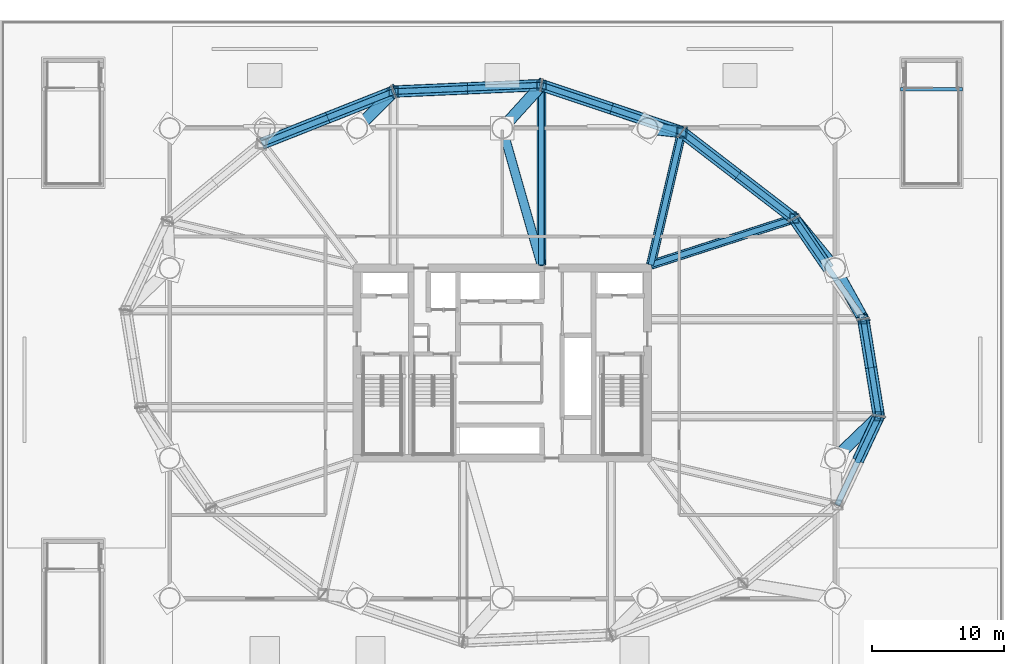
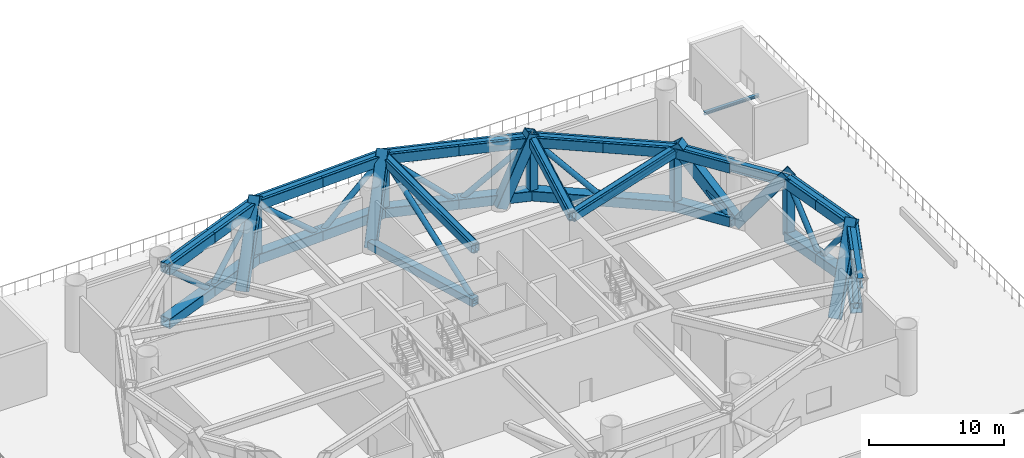
# One storey, part 3 of 14: 53 members, 11 beams.
"""IFC4 building model written with IfcOpenShell, lengths in metres."""

from ifc_helpers import new_model, si_unit, direction, frame, origin, origin_2d, place, context, subcontext, project, spatial, hollow_rectangle, hollow_circle, i_section, extrude, material, material_profile, profile_set, type_object, element, save


model = new_model("IFC4")

# Units and contexts
model_context = context("Model", 3, precision=1e-05, world=origin(), true_north=direction((0.0, 1.0)))
body_context = subcontext(model_context, "Body", "Model", "MODEL_VIEW")
ifc_project = project(units=[si_unit("LENGTHUNIT", "METRE"), si_unit("AREAUNIT", "SQUARE_METRE"), si_unit("VOLUMEUNIT", "CUBIC_METRE"), si_unit("PLANEANGLEUNIT", "RADIAN"), si_unit("MASSUNIT", "GRAM", prefix="KILO")], contexts=[model_context])

# Site, building, storey
site_placement = place(None, origin())
site = spatial("IfcSite", under=ifc_project, at=site_placement, CompositionType="ELEMENT")
building_placement = place(site_placement, origin())
building = spatial("IfcBuilding", under=site, at=building_placement, Name="Bramvorn Convention Spire", CompositionType="ELEMENT")
storey_placement = place(building_placement, frame((0.0, 0.0, 35.39990234375)))
storey = spatial("IfcBuildingStorey", under=building, at=storey_placement, Name="L06", CompositionType="ELEMENT", Elevation=35.39990234375)

# Beams
ifc_material = material(Name="Steel CSA G40.21 Grade 350 (350W)", Category="steel")
ifc_material_profile_1 = material_profile(ifc_material, i_section(OverallWidth=0.25390625, OverallDepth=0.2529296875, WebThickness=0.008544921875, FlangeThickness=0.01416015625, FilletRadius=0.011962890625, at=origin_2d()))
ifc_profile_set_1 = profile_set([ifc_material_profile_1], Name="Steel CSA G40.21 Grade 350 (350W) - W250X73")
beam_type_1 = type_object("IfcBeamType", Name="BM-W250X73", PredefinedType="BEAM", material=ifc_profile_set_1)
beam_1_placement = place(storey_placement, frame((68.169921875, 46.760009765625, -0.12646484375), z_axis=(1.0, 0.0, 0.0), x_axis=(0.0, 1.0, 0.0)))
element("IfcBeam", 1, at=beam_1_placement, inside=storey, type_object=beam_type_1, Name="L06 ST5 stair arrival header beam", PredefinedType="BEAM", context=body_context, shape_type="SweptSolid", body=[
    extrude(i_section(OverallWidth=0.25390625, OverallDepth=0.2529296875, WebThickness=0.008544921875, FlangeThickness=0.01416015625, FilletRadius=0.011962890625, at=origin_2d()), origin(), (0.0, 0.0, 1.0), 4.68017578125),
])
ifc_material_profile_2 = material_profile(ifc_material, i_section(OverallWidth=0.41796875, OverallDepth=0.912109375, WebThickness=0.019287109375, FlangeThickness=0.031982421875, FilletRadius=0.02392578125, at=origin_2d()))
ifc_profile_set_2 = profile_set([ifc_material_profile_2], Name="Steel CSA G40.21 Grade 350 (350W) - W920X342")
beam_type_2 = type_object("IfcBeamType", Name="BM-W920X342", PredefinedType="BEAM", material=ifc_profile_set_2)
beam_2_placement = place(storey_placement, frame((66.519775390625, 21.99169921875, 5.294189453125), z_axis=(-0.158699222824, 0.987326975563, 0.0), x_axis=(-0.987326975563, -0.158699222824, 0.0)))
element("IfcBeam", 2, at=beam_2_placement, inside=storey, type_object=beam_type_2, Name="L06 mega-column transfer ring girder 01", PredefinedType="BEAM", context=body_context, shape_type="SweptSolid", body=[
    extrude(i_section(OverallWidth=0.41796875, OverallDepth=0.912109375, WebThickness=0.019287109375, FlangeThickness=0.031982421875, FilletRadius=0.02392578125, at=origin_2d()), origin(), (0.0, 0.0, 1.0), 7.442626953125),
])
beam_3_placement = place(storey_placement, frame((65.338623046875, 29.340087890625, 5.294189453125), z_axis=(-0.566129730789, 0.824316157743, 0.0), x_axis=(-0.824316157743, -0.566129730789, 0.0)))
element("IfcBeam", 3, at=beam_3_placement, inside=storey, type_object=beam_type_2, Name="L06 mega-column transfer ring girder 02", PredefinedType="BEAM", context=body_context, shape_type="SweptSolid", body=[
    extrude(i_section(OverallWidth=0.41796875, OverallDepth=0.912109375, WebThickness=0.019287109375, FlangeThickness=0.031982421875, FilletRadius=0.02392578125, at=origin_2d()), origin(), (0.0, 0.0, 1.0), 9.244140625),
])
beam_4_placement = place(storey_placement, frame((60.105224609375, 36.960205078125, 5.294189453125), z_axis=(-0.792672990445, 0.609647053809, 0.0), x_axis=(-0.609647053809, -0.792672990445, 0.0)))
element("IfcBeam", 4, at=beam_4_placement, inside=storey, type_object=beam_type_2, Name="L06 mega-column transfer ring girder 03", PredefinedType="BEAM", context=body_context, shape_type="SweptSolid", body=[
    extrude(i_section(OverallWidth=0.41796875, OverallDepth=0.912109375, WebThickness=0.019287109375, FlangeThickness=0.031982421875, FilletRadius=0.02392578125, at=origin_2d()), origin(), (0.0, 0.0, 1.0), 10.741943359375),
])
beam_5_placement = place(storey_placement, frame((49.25, 33.449951171875, 5.294189453125), z_axis=(0.951488933275, 0.307682969719, 0.0), x_axis=(-0.307682969719, 0.951488933275, 0.0)))
element("IfcBeam", 5, at=beam_5_placement, inside=storey, type_object=beam_type_2, Name="L06 mega-column radial transfer girder MC03", PredefinedType="BEAM", context=body_context, shape_type="SweptSolid", body=[
    extrude(i_section(OverallWidth=0.41796875, OverallDepth=0.912109375, WebThickness=0.019287109375, FlangeThickness=0.031982421875, FilletRadius=0.02392578125, at=origin_2d()), origin(), (0.0, 0.0, 1.0), 11.40869140625),
])
beam_6_placement = place(storey_placement, frame((51.59033203125, 43.509033203125, 5.294189453125), z_axis=(-0.948235872727, 0.317566890078, 0.0), x_axis=(-0.317566890078, -0.948235872727, 0.0)))
element("IfcBeam", 6, at=beam_6_placement, inside=storey, type_object=beam_type_2, Name="L06 mega-column transfer ring girder 04", PredefinedType="BEAM", context=body_context, shape_type="SweptSolid", body=[
    extrude(i_section(OverallWidth=0.41796875, OverallDepth=0.912109375, WebThickness=0.019287109375, FlangeThickness=0.031982421875, FilletRadius=0.02392578125, at=origin_2d()), origin(), (0.0, 0.0, 1.0), 11.209716796875),
])
beam_7_placement = place(storey_placement, frame((49.25, 33.449951171875, 5.294189453125), z_axis=(0.226606328522, 0.973986433106, 0.0), x_axis=(-0.973986433106, 0.226606328522, 0.0)))
element("IfcBeam", 7, at=beam_7_placement, inside=storey, type_object=beam_type_2, Name="L06 mega-column radial transfer girder MC04", PredefinedType="BEAM", context=body_context, shape_type="SweptSolid", body=[
    extrude(i_section(OverallWidth=0.41796875, OverallDepth=0.912109375, WebThickness=0.019287109375, FlangeThickness=0.031982421875, FilletRadius=0.02392578125, at=origin_2d()), origin(), (0.0, 0.0, 1.0), 10.32763671875),
])
beam_8_placement = place(storey_placement, frame((40.9609375, 47.06884765625, 5.294189453125), z_axis=(-0.999035582762, -0.043907907889, 0.0), x_axis=(0.043907907889, -0.999035582762, 0.0)))
element("IfcBeam", 8, at=beam_8_placement, inside=storey, type_object=beam_type_2, Name="L06 mega-column transfer ring girder 05", PredefinedType="BEAM", context=body_context, shape_type="SweptSolid", body=[
    extrude(i_section(OverallWidth=0.41796875, OverallDepth=0.912109375, WebThickness=0.019287109375, FlangeThickness=0.031982421875, FilletRadius=0.02392578125, at=origin_2d()), origin(), (0.0, 0.0, 1.0), 11.20947265625),
])
beam_9_placement = place(storey_placement, frame((40.9609375, 33.449951171875, 5.294189453125), z_axis=(0.0, 1.0, 0.0), x_axis=(-1.0, 0.0, 0.0)))
element("IfcBeam", 9, at=beam_9_placement, inside=storey, type_object=beam_type_2, Name="L06 mega-column radial transfer girder MC05", PredefinedType="BEAM", context=body_context, shape_type="SweptSolid", body=[
    extrude(i_section(OverallWidth=0.41796875, OverallDepth=0.912109375, WebThickness=0.019287109375, FlangeThickness=0.031982421875, FilletRadius=0.02392578125, at=origin_2d()), origin(), (0.0, 0.0, 1.0), 13.618896484375),
])
beam_10_placement = place(storey_placement, frame((29.76220703125, 46.57666015625, 5.294189453125), z_axis=(-0.93000950609, -0.367535465749, 0.0), x_axis=(0.367535465749, -0.93000950609, 0.0)))
element("IfcBeam", 10, at=beam_10_placement, inside=storey, type_object=beam_type_2, Name="L06 mega-column transfer ring girder 06", PredefinedType="BEAM", context=body_context, shape_type="SweptSolid", body=[
    extrude(i_section(OverallWidth=0.41796875, OverallDepth=0.912109375, WebThickness=0.019287109375, FlangeThickness=0.031982421875, FilletRadius=0.02392578125, at=origin_2d()), origin(), (0.0, 0.0, 1.0), 10.74169921875),
])
beam_11_placement = place(storey_placement, frame((63.35888671875, 15.253662109375, 5.294189453125), z_axis=(0.424701955478, 0.9053332254, 0.0), x_axis=(-0.9053332254, 0.424701955478, 0.0)))
element("IfcBeam", 11, at=beam_11_placement, inside=storey, type_object=beam_type_2, Name="L06 mega-column transfer ring girder 16", PredefinedType="BEAM", context=body_context, shape_type="SweptSolid", body=[
    extrude(i_section(OverallWidth=0.41796875, OverallDepth=0.912109375, WebThickness=0.019287109375, FlangeThickness=0.031982421875, FilletRadius=0.02392578125, at=origin_2d()), origin(), (0.0, 0.0, 1.0), 7.442626953125),
])

# Members
ifc_material_profile_3 = material_profile(ifc_material, hollow_rectangle(XDim=0.699951171875, YDim=0.699951171875, WallThickness=0.034912109375, InnerFilletRadius=0.0009765625, OuterFilletRadius=0.034912109375, at=origin_2d()))
ifc_profile_set_3 = profile_set([ifc_material_profile_3], Name="Steel CSA G40.21 Grade 350 (350W) - BOX700X700X35")
member_type_1 = type_object("IfcMemberType", Name="MBR-BOX700X700X35", PredefinedType="CHORD", material=ifc_profile_set_3)
for number, where, z_axis, x_axis, name in (
    (12, (66.519775390625, 21.99169921875, 0.4501953125), (0.0, 0.0, 1.0), (1.0, 0.0, 0.0), "L06 transfer truss node post MC01"),
    (13, (65.338623046875, 29.340087890625, 0.4501953125), (0.0, 0.0, 1.0), (1.0, 0.0, 0.0), "L06 transfer truss node post MC02"),
    (14, (60.105224609375, 36.960205078125, 0.4501953125), (0.0, 0.0, 1.0), (1.0, 0.0, 0.0), "L06 transfer truss node post MC03"),
):
    element("IfcMember", number, at=place(storey_placement, frame(where, z_axis=z_axis, x_axis=x_axis)), inside=storey, type_object=member_type_1, Name=name, PredefinedType="CHORD", context=body_context, shape_type="SweptSolid", body=[
        extrude(hollow_rectangle(XDim=0.699951171875, YDim=0.699951171875, WallThickness=0.034912109375, InnerFilletRadius=0.0009765625, OuterFilletRadius=0.034912109375, at=origin_2d()), origin(), (0.0, 0.0, 1.0), 4.849853515625),
    ])
member_1_placement = place(storey_placement, frame((49.25, 33.449951171875, 5.300048828125), z_axis=(0.951488933275, 0.307682969719, 0.0), x_axis=(-0.307682969719, 0.951488933275, 0.0)))
element("IfcMember", 15, at=member_1_placement, inside=storey, type_object=member_type_1, Name="L06 radial transfer top chord MC03", PredefinedType="CHORD", context=body_context, shape_type="SweptSolid", body=[
    extrude(hollow_rectangle(XDim=0.699951171875, YDim=0.699951171875, WallThickness=0.034912109375, InnerFilletRadius=0.0009765625, OuterFilletRadius=0.034912109375, at=origin_2d()), origin(), (0.0, 0.0, 1.0), 11.40869140625),
])
member_2_placement = place(storey_placement, frame((51.59033203125, 43.509033203125, 0.4501953125), z_axis=(0.0, 0.0, 1.0), x_axis=(1.0, 0.0, 0.0)))
element("IfcMember", 16, at=member_2_placement, inside=storey, type_object=member_type_1, Name="L06 transfer truss node post MC04", PredefinedType="CHORD", context=body_context, shape_type="SweptSolid", body=[
    extrude(hollow_rectangle(XDim=0.699951171875, YDim=0.699951171875, WallThickness=0.034912109375, InnerFilletRadius=0.0009765625, OuterFilletRadius=0.034912109375, at=origin_2d()), origin(), (0.0, 0.0, 1.0), 4.849853515625),
])
member_3_placement = place(storey_placement, frame((49.25, 33.449951171875, 5.300048828125), z_axis=(0.226606328522, 0.973986433106, 0.0), x_axis=(-0.973986433106, 0.226606328522, 0.0)))
element("IfcMember", 17, at=member_3_placement, inside=storey, type_object=member_type_1, Name="L06 radial transfer top chord MC04", PredefinedType="CHORD", context=body_context, shape_type="SweptSolid", body=[
    extrude(hollow_rectangle(XDim=0.699951171875, YDim=0.699951171875, WallThickness=0.034912109375, InnerFilletRadius=0.0009765625, OuterFilletRadius=0.034912109375, at=origin_2d()), origin(), (0.0, 0.0, 1.0), 10.32763671875),
])
member_4_placement = place(storey_placement, frame((40.9609375, 47.06884765625, 0.4501953125), z_axis=(0.0, 0.0, 1.0), x_axis=(1.0, 0.0, 0.0)))
element("IfcMember", 18, at=member_4_placement, inside=storey, type_object=member_type_1, Name="L06 transfer truss node post MC05", PredefinedType="CHORD", context=body_context, shape_type="SweptSolid", body=[
    extrude(hollow_rectangle(XDim=0.699951171875, YDim=0.699951171875, WallThickness=0.034912109375, InnerFilletRadius=0.0009765625, OuterFilletRadius=0.034912109375, at=origin_2d()), origin(), (0.0, 0.0, 1.0), 4.849853515625),
])
member_5_placement = place(storey_placement, frame((40.9609375, 33.449951171875, 5.300048828125), z_axis=(0.0, 1.0, 0.0), x_axis=(-1.0, 0.0, 0.0)))
element("IfcMember", 19, at=member_5_placement, inside=storey, type_object=member_type_1, Name="L06 radial transfer top chord MC05", PredefinedType="CHORD", context=body_context, shape_type="SweptSolid", body=[
    extrude(hollow_rectangle(XDim=0.699951171875, YDim=0.699951171875, WallThickness=0.034912109375, InnerFilletRadius=0.0009765625, OuterFilletRadius=0.034912109375, at=origin_2d()), origin(), (0.0, 0.0, 1.0), 13.618896484375),
])
member_6_placement = place(storey_placement, frame((40.9609375, 33.449951171875, 0.4501953125), z_axis=(-0.275044601607, 0.961431467722, 0.0), x_axis=(-0.961431467722, -0.275044601607, 0.0)))
element("IfcMember", 20, at=member_6_placement, inside=storey, type_object=member_type_1, Name="L06 radial transfer bottom chord MC05", PredefinedType="CHORD", context=body_context, shape_type="SweptSolid", body=[
    extrude(hollow_rectangle(XDim=0.699951171875, YDim=0.699951171875, WallThickness=0.034912109375, InnerFilletRadius=0.0009765625, OuterFilletRadius=0.034912109375, at=origin_2d()), origin(), (0.0, 0.0, 1.0), 10.765380859375),
])
member_7_placement = place(storey_placement, frame((29.76220703125, 46.57666015625, 0.4501953125), z_axis=(0.0, 0.0, 1.0), x_axis=(1.0, 0.0, 0.0)))
element("IfcMember", 21, at=member_7_placement, inside=storey, type_object=member_type_1, Name="L06 transfer truss node post MC06", PredefinedType="CHORD", context=body_context, shape_type="SweptSolid", body=[
    extrude(hollow_rectangle(XDim=0.699951171875, YDim=0.699951171875, WallThickness=0.034912109375, InnerFilletRadius=0.0009765625, OuterFilletRadius=0.034912109375, at=origin_2d()), origin(), (0.0, 0.0, 1.0), 4.849853515625),
])
ifc_material_profile_4 = material_profile(ifc_material, hollow_rectangle(XDim=0.89990234375, YDim=0.89990234375, WallThickness=0.044921875, InnerFilletRadius=0.0009765625, OuterFilletRadius=0.044921875, at=origin_2d()))
ifc_profile_set_4 = profile_set([ifc_material_profile_4], Name="Steel CSA G40.21 Grade 350 (350W) - BOX900X900X45")
member_type_2 = type_object("IfcMemberType", Name="MBR-BOX900X900X45", PredefinedType="CHORD", material=ifc_profile_set_4)
for number, where, z_axis, x_axis, name in (
    (22, (66.519775390625, 21.99169921875, 5.300048828125), (-0.158694083206, 0.987327801673, 0.0), (-0.987327801673, -0.158694083206, 0.0), "L06 Warren transfer ring top chord 1.1"),
    (23, (66.519775390625, 21.99169921875, 0.4501953125), (-0.158694083206, 0.987327801673, 0.0), (-0.987327801673, -0.158694083206, 0.0), "L06 Warren transfer ring bottom chord 1.1"),
):
    element("IfcMember", number, at=place(storey_placement, frame(where, z_axis=z_axis, x_axis=x_axis)), inside=storey, type_object=member_type_2, Name=name, PredefinedType="CHORD", context=body_context, shape_type="SweptSolid", body=[
        extrude(hollow_rectangle(XDim=0.89990234375, YDim=0.89990234375, WallThickness=0.044921875, InnerFilletRadius=0.0009765625, OuterFilletRadius=0.044921875, at=origin_2d()), origin(), (0.0, 0.0, 1.0), 3.721435546875),
    ])
for number, where, z_axis, x_axis, name in (
    (24, (65.92919921875, 25.666015625, 5.300048828125), (-0.158704362771, 0.987326149374, 0.0), (-0.987326149374, -0.158704362771, 0.0), "L06 Warren transfer ring top chord 1.2"),
    (25, (65.92919921875, 25.666015625, 0.4501953125), (-0.158704362771, 0.987326149374, 0.0), (-0.987326149374, -0.158704362771, 0.0), "L06 Warren transfer ring bottom chord 1.2"),
):
    element("IfcMember", number, at=place(storey_placement, frame(where, z_axis=z_axis, x_axis=x_axis)), inside=storey, type_object=member_type_2, Name=name, PredefinedType="CHORD", context=body_context, shape_type="SweptSolid", body=[
        extrude(hollow_rectangle(XDim=0.89990234375, YDim=0.89990234375, WallThickness=0.044921875, InnerFilletRadius=0.0009765625, OuterFilletRadius=0.044921875, at=origin_2d()), origin(), (0.0, 0.0, 1.0), 3.72119140625),
    ])
member_8_placement = place(storey_placement, frame((63.199951171875, 18.800048828125, 0.0), z_axis=(0.438921867714, 0.42197570059, 0.793274291877), x_axis=(-0.693053621919, 0.72088603617, 0.0)))
element("IfcMember", 26, at=member_8_placement, inside=storey, type_object=member_type_2, Name="L06 radial transfer strut to MC01", PredefinedType="CHORD", context=body_context, shape_type="SweptSolid", body=[
    extrude(hollow_rectangle(XDim=0.89990234375, YDim=0.89990234375, WallThickness=0.044921875, InnerFilletRadius=0.0009765625, OuterFilletRadius=0.044921875, at=origin_2d()), origin(), (0.0, 0.0, 1.0), 7.5634765625),
])
for number, where, z_axis, x_axis, name in (
    (27, (62.721923828125, 33.150146484375, 5.300048828125), (-0.566129730789, 0.824316157743, 0.0), (-0.824316157743, -0.566129730789, 0.0), "L06 Warren transfer ring top chord 2.2"),
    (28, (62.721923828125, 33.150146484375, 0.4501953125), (-0.566129730789, 0.824316157743, 0.0), (-0.824316157743, -0.566129730789, 0.0), "L06 Warren transfer ring bottom chord 2.2"),
):
    element("IfcMember", number, at=place(storey_placement, frame(where, z_axis=z_axis, x_axis=x_axis)), inside=storey, type_object=member_type_2, Name=name, PredefinedType="CHORD", context=body_context, shape_type="SweptSolid", body=[
        extrude(hollow_rectangle(XDim=0.89990234375, YDim=0.89990234375, WallThickness=0.044921875, InnerFilletRadius=0.0009765625, OuterFilletRadius=0.044921875, at=origin_2d()), origin(), (0.0, 0.0, 1.0), 4.6220703125),
    ])
member_9_placement = place(storey_placement, frame((63.199951171875, 33.199951171875, 0.0), z_axis=(0.287147763316, -0.51824270982, 0.805587149687), x_axis=(0.874704760516, 0.484656148141, 0.0)))
element("IfcMember", 29, at=member_9_placement, inside=storey, type_object=member_type_2, Name="L06 radial transfer strut to MC02", PredefinedType="CHORD", context=body_context, shape_type="SweptSolid", body=[
    extrude(hollow_rectangle(XDim=0.89990234375, YDim=0.89990234375, WallThickness=0.044921875, InnerFilletRadius=0.0009765625, OuterFilletRadius=0.044921875, at=origin_2d()), origin(), (0.0, 0.0, 1.0), 7.447998046875),
])
for number, where, z_axis, x_axis, name in (
    (30, (60.105224609375, 36.960205078125, 5.300048828125), (-0.7926814374, 0.609636070784, 0.0), (-0.609636070784, -0.7926814374, 0.0), "L06 Warren transfer ring top chord 3.1"),
    (31, (60.105224609375, 36.960205078125, 0.4501953125), (-0.7926814374, 0.609636070784, 0.0), (-0.609636070784, -0.7926814374, 0.0), "L06 Warren transfer ring bottom chord 3.1"),
):
    element("IfcMember", number, at=place(storey_placement, frame(where, z_axis=z_axis, x_axis=x_axis)), inside=storey, type_object=member_type_2, Name=name, PredefinedType="CHORD", context=body_context, shape_type="SweptSolid", body=[
        extrude(hollow_rectangle(XDim=0.89990234375, YDim=0.89990234375, WallThickness=0.044921875, InnerFilletRadius=0.0009765625, OuterFilletRadius=0.044921875, at=origin_2d()), origin(), (0.0, 0.0, 1.0), 5.37109375),
    ])
for number, where, z_axis, x_axis, name in (
    (32, (55.84765625, 40.234619140625, 5.300048828125), (-0.792664543034, 0.609658037113, 0.0), (-0.609658037113, -0.792664543034, 0.0), "L06 Warren transfer ring top chord 3.2"),
    (33, (55.84765625, 40.234619140625, 0.4501953125), (-0.792664543034, 0.609658037113, 0.0), (-0.609658037113, -0.792664543034, 0.0), "L06 Warren transfer ring bottom chord 3.2"),
):
    element("IfcMember", number, at=place(storey_placement, frame(where, z_axis=z_axis, x_axis=x_axis)), inside=storey, type_object=member_type_2, Name=name, PredefinedType="CHORD", context=body_context, shape_type="SweptSolid", body=[
        extrude(hollow_rectangle(XDim=0.89990234375, YDim=0.89990234375, WallThickness=0.044921875, InnerFilletRadius=0.0009765625, OuterFilletRadius=0.044921875, at=origin_2d()), origin(), (0.0, 0.0, 1.0), 5.370849609375),
    ])
member_10_placement = place(storey_placement, frame((63.199951171875, 33.199951171875, 0.0), z_axis=(-0.400473576489, 0.486596246851, 0.776430941606), x_axis=(-0.772127003942, -0.635468244512, 0.0)))
element("IfcMember", 34, at=member_10_placement, inside=storey, type_object=member_type_2, Name="L06 radial transfer strut to MC03", PredefinedType="CHORD", context=body_context, shape_type="SweptSolid", body=[
    extrude(hollow_rectangle(XDim=0.89990234375, YDim=0.89990234375, WallThickness=0.044921875, InnerFilletRadius=0.0009765625, OuterFilletRadius=0.044921875, at=origin_2d()), origin(), (0.0, 0.0, 1.0), 7.727783203125),
])
for number, where, z_axis, x_axis, name in (
    (35, (51.59033203125, 43.509033203125, 5.300048828125), (-0.948229314146, 0.31758647294, 0.0), (-0.31758647294, -0.948229314146, 0.0), "L06 Warren transfer ring top chord 4.1"),
    (36, (51.59033203125, 43.509033203125, 0.4501953125), (-0.948229314146, 0.31758647294, 0.0), (-0.31758647294, -0.948229314146, 0.0), "L06 Warren transfer ring bottom chord 4.1"),
):
    element("IfcMember", number, at=place(storey_placement, frame(where, z_axis=z_axis, x_axis=x_axis)), inside=storey, type_object=member_type_2, Name=name, PredefinedType="CHORD", context=body_context, shape_type="SweptSolid", body=[
        extrude(hollow_rectangle(XDim=0.89990234375, YDim=0.89990234375, WallThickness=0.044921875, InnerFilletRadius=0.0009765625, OuterFilletRadius=0.044921875, at=origin_2d()), origin(), (0.0, 0.0, 1.0), 5.60498046875),
    ])
for number, where, z_axis, x_axis, name in (
    (37, (46.275634765625, 45.2890625, 5.300048828125), (-0.948242430994, 0.31754730681, 0.0), (-0.31754730681, -0.948242430994, 0.0), "L06 Warren transfer ring top chord 4.2"),
    (38, (46.275634765625, 45.2890625, 0.4501953125), (-0.948242430994, 0.31754730681, 0.0), (-0.31754730681, -0.948242430994, 0.0), "L06 Warren transfer ring bottom chord 4.2"),
):
    element("IfcMember", number, at=place(storey_placement, frame(where, z_axis=z_axis, x_axis=x_axis)), inside=storey, type_object=member_type_2, Name=name, PredefinedType="CHORD", context=body_context, shape_type="SweptSolid", body=[
        extrude(hollow_rectangle(XDim=0.89990234375, YDim=0.89990234375, WallThickness=0.044921875, InnerFilletRadius=0.0009765625, OuterFilletRadius=0.044921875, at=origin_2d()), origin(), (0.0, 0.0, 1.0), 5.604736328125),
    ])
member_11_placement = place(storey_placement, frame((49.0, 43.800048828125, 0.0), z_axis=(0.395969200111, -0.0444858894, 0.917185585478), x_axis=(0.111644474103, 0.993748213283, 0.0)))
element("IfcMember", 39, at=member_11_placement, inside=storey, type_object=member_type_2, Name="L06 radial transfer strut to MC04", PredefinedType="CHORD", context=body_context, shape_type="SweptSolid", body=[
    extrude(hollow_rectangle(XDim=0.89990234375, YDim=0.89990234375, WallThickness=0.044921875, InnerFilletRadius=0.0009765625, OuterFilletRadius=0.044921875, at=origin_2d()), origin(), (0.0, 0.0, 1.0), 6.541748046875),
])
for number, where, z_axis, x_axis, name in (
    (40, (40.9609375, 47.06884765625, 5.300048828125), (-0.999035582762, -0.043907907889, 0.0), (0.043907907889, -0.999035582762, 0.0), "L06 Warren transfer ring top chord 5.1"),
    (41, (40.9609375, 47.06884765625, 0.4501953125), (-0.999035582762, -0.043907907889, 0.0), (0.043907907889, -0.999035582762, 0.0), "L06 Warren transfer ring bottom chord 5.1"),
    (42, (35.361572265625, 46.82275390625, 5.300048828125), (-0.999035582762, -0.043907907889, 0.0), (0.043907907889, -0.999035582762, 0.0), "L06 Warren transfer ring top chord 5.2"),
    (43, (35.361572265625, 46.82275390625, 0.4501953125), (-0.999035582762, -0.043907907889, 0.0), (0.043907907889, -0.999035582762, 0.0), "L06 Warren transfer ring bottom chord 5.2"),
):
    element("IfcMember", number, at=place(storey_placement, frame(where, z_axis=z_axis, x_axis=x_axis)), inside=storey, type_object=member_type_2, Name=name, PredefinedType="CHORD", context=body_context, shape_type="SweptSolid", body=[
        extrude(hollow_rectangle(XDim=0.89990234375, YDim=0.89990234375, WallThickness=0.044921875, InnerFilletRadius=0.0009765625, OuterFilletRadius=0.044921875, at=origin_2d()), origin(), (0.0, 0.0, 1.0), 5.604736328125),
    ])
member_12_placement = place(storey_placement, frame((38.0, 43.800048828125, 0.0), z_axis=(0.397621503308, 0.438963910602, 0.805734339156), x_axis=(-0.741146168567, 0.671343695002, 0.0)))
element("IfcMember", 44, at=member_12_placement, inside=storey, type_object=member_type_2, Name="L06 radial transfer strut to MC05", PredefinedType="CHORD", context=body_context, shape_type="SweptSolid", body=[
    extrude(hollow_rectangle(XDim=0.89990234375, YDim=0.89990234375, WallThickness=0.044921875, InnerFilletRadius=0.0009765625, OuterFilletRadius=0.044921875, at=origin_2d()), origin(), (0.0, 0.0, 1.0), 7.446533203125),
])
for number, where, z_axis, x_axis, name in (
    (45, (29.76220703125, 46.57666015625, 5.300048828125), (-0.930014204705, -0.367523576179, 0.0), (0.367523576179, -0.930014204705, 0.0), "L06 Warren transfer ring top chord 6.1"),
    (46, (29.76220703125, 46.57666015625, 0.4501953125), (-0.930014204705, -0.367523576179, 0.0), (0.367523576179, -0.930014204705, 0.0), "L06 Warren transfer ring bottom chord 6.1"),
):
    element("IfcMember", number, at=place(storey_placement, frame(where, z_axis=z_axis, x_axis=x_axis)), inside=storey, type_object=member_type_2, Name=name, PredefinedType="CHORD", context=body_context, shape_type="SweptSolid", body=[
        extrude(hollow_rectangle(XDim=0.89990234375, YDim=0.89990234375, WallThickness=0.044921875, InnerFilletRadius=0.0009765625, OuterFilletRadius=0.044921875, at=origin_2d()), origin(), (0.0, 0.0, 1.0), 5.370849609375),
    ])
for number, where, z_axis, x_axis, name in (
    (47, (24.767333984375, 44.602783203125, 5.300048828125), (-0.930004807599, -0.367547354558, 0.0), (0.367547354558, -0.930004807599, 0.0), "L06 Warren transfer ring top chord 6.2"),
    (48, (24.767333984375, 44.602783203125, 0.4501953125), (-0.930004807599, -0.367547354558, 0.0), (0.367547354558, -0.930004807599, 0.0), "L06 Warren transfer ring bottom chord 6.2"),
):
    element("IfcMember", number, at=place(storey_placement, frame(where, z_axis=z_axis, x_axis=x_axis)), inside=storey, type_object=member_type_2, Name=name, PredefinedType="CHORD", context=body_context, shape_type="SweptSolid", body=[
        extrude(hollow_rectangle(XDim=0.89990234375, YDim=0.89990234375, WallThickness=0.044921875, InnerFilletRadius=0.0009765625, OuterFilletRadius=0.044921875, at=origin_2d()), origin(), (0.0, 0.0, 1.0), 5.37109375),
    ])
member_13_placement = place(storey_placement, frame((27.0, 43.800048828125, 0.0), z_axis=(0.385505882175, 0.387516209827, 0.837386650198), x_axis=(-0.708943291589, 0.705265488529, 0.0)))
element("IfcMember", 49, at=member_13_placement, inside=storey, type_object=member_type_2, Name="L06 radial transfer strut to MC06", PredefinedType="CHORD", context=body_context, shape_type="SweptSolid", body=[
    extrude(hollow_rectangle(XDim=0.89990234375, YDim=0.89990234375, WallThickness=0.044921875, InnerFilletRadius=0.0009765625, OuterFilletRadius=0.044921875, at=origin_2d()), origin(), (0.0, 0.0, 1.0), 7.1650390625),
])
for number, where, z_axis, x_axis, name in (
    (50, (64.939208984375, 18.622802734375, 5.300048828125), (0.424741454752, 0.905314694797, 0.0), (-0.905314694797, 0.424741454752, 0.0), "L06 Warren transfer ring top chord 16.2"),
    (51, (64.939208984375, 18.622802734375, 0.4501953125), (0.424741454752, 0.905314694797, 0.0), (-0.905314694797, 0.424741454752, 0.0), "L06 Warren transfer ring bottom chord 16.2"),
):
    element("IfcMember", number, at=place(storey_placement, frame(where, z_axis=z_axis, x_axis=x_axis)), inside=storey, type_object=member_type_2, Name=name, PredefinedType="CHORD", context=body_context, shape_type="SweptSolid", body=[
        extrude(hollow_rectangle(XDim=0.89990234375, YDim=0.89990234375, WallThickness=0.044921875, InnerFilletRadius=0.0009765625, OuterFilletRadius=0.044921875, at=origin_2d()), origin(), (0.0, 0.0, 1.0), 3.72119140625),
    ])
ifc_material_profile_5 = material_profile(ifc_material, hollow_circle(Radius=0.228515625, WallThickness=0.01904296875, at=origin_2d()))
ifc_profile_set_5 = profile_set([ifc_material_profile_5], Name="Steel CSA G40.21 Grade 350 (350W) - CHS457X19")
member_type_3 = type_object("IfcMemberType", Name="MBR-CHS457X19", PredefinedType="BRACE", material=ifc_profile_set_5)
for number, where, z_axis, x_axis, name in (
    (52, (66.519775390625, 21.99169921875, 5.300048828125), (-0.09660768967, 0.601052389225, -0.793349216741), (-0.987327801673, -0.158694083206, 0.0), "L06 Warren transfer diagonal 1A"),
    (53, (65.92919921875, 25.666015625, 0.4501953125), (-0.096610008672, 0.601026879083, 0.793368260548), (-0.987326149374, -0.158704362771, 0.0), "L06 Warren transfer diagonal 1B"),
):
    element("IfcMember", number, at=place(storey_placement, frame(where, z_axis=z_axis, x_axis=x_axis)), inside=storey, type_object=member_type_3, Name=name, PredefinedType="BRACE", context=body_context, shape_type="SweptSolid", body=[
        extrude(hollow_circle(Radius=0.228515625, WallThickness=0.01904296875, at=origin_2d()), origin(), (0.0, 0.0, 1.0), 6.113037109375),
    ])
member_14_placement = place(storey_placement, frame((62.721923828125, 33.150146484375, 0.4501953125), z_axis=(-0.390575003953, 0.568698778848, 0.723901143267), x_axis=(-0.824316157743, -0.566129730789, 0.0)))
element("IfcMember", 54, at=member_14_placement, inside=storey, type_object=member_type_3, Name="L06 Warren transfer diagonal 2B", PredefinedType="BRACE", context=body_context, shape_type="SweptSolid", body=[
    extrude(hollow_circle(Radius=0.228515625, WallThickness=0.01904296875, at=origin_2d()), origin(), (0.0, 0.0, 1.0), 6.69970703125),
])
member_15_placement = place(storey_placement, frame((60.105224609375, 36.960205078125, 5.300048828125), z_axis=(-0.58833049391, 0.452473684519, -0.67017519706), x_axis=(-0.609636070784, -0.7926814374, 0.0)))
element("IfcMember", 55, at=member_15_placement, inside=storey, type_object=member_type_3, Name="L06 Warren transfer diagonal 3A", PredefinedType="BRACE", context=body_context, shape_type="SweptSolid", body=[
    extrude(hollow_circle(Radius=0.228515625, WallThickness=0.01904296875, at=origin_2d()), origin(), (0.0, 0.0, 1.0), 7.23681640625),
])
member_16_placement = place(storey_placement, frame((55.84765625, 40.234619140625, 0.4501953125), z_axis=(-0.588308434074, 0.452482665317, 0.670188498846), x_axis=(-0.609658037113, -0.792664543034, 0.0)))
element("IfcMember", 56, at=member_16_placement, inside=storey, type_object=member_type_3, Name="L06 Warren transfer diagonal 3B", PredefinedType="BRACE", context=body_context, shape_type="SweptSolid", body=[
    extrude(hollow_circle(Radius=0.228515625, WallThickness=0.01904296875, at=origin_2d()), origin(), (0.0, 0.0, 1.0), 7.236572265625),
])
for number, where, z_axis, x_axis, name in (
    (57, (51.59033203125, 43.509033203125, 5.300048828125), (-0.717053620681, 0.240159766107, -0.654337368497), (-0.31758647294, -0.948229314146, 0.0), "L06 Warren transfer diagonal 4A"),
    (58, (46.275634765625, 45.2890625, 0.4501953125), (-0.717059292735, 0.240128726356, 0.654342544453), (-0.31754730681, -0.948242430994, 0.0), "L06 Warren transfer diagonal 4B"),
    (59, (40.9609375, 47.06884765625, 5.300048828125), (-0.755468013193, -0.033203041522, -0.654343670464), (0.043907907889, -0.999035582762, 0.0), "L06 Warren transfer diagonal 5A"),
    (60, (35.361572265625, 46.82275390625, 0.4501953125), (-0.755468013193, -0.033203041522, 0.654343670464), (0.043907907889, -0.999035582762, 0.0), "L06 Warren transfer diagonal 5B"),
):
    element("IfcMember", number, at=place(storey_placement, frame(where, z_axis=z_axis, x_axis=x_axis)), inside=storey, type_object=member_type_3, Name=name, PredefinedType="BRACE", context=body_context, shape_type="SweptSolid", body=[
        extrude(hollow_circle(Radius=0.228515625, WallThickness=0.01904296875, at=origin_2d()), origin(), (0.0, 0.0, 1.0), 7.411865234375),
    ])
member_17_placement = place(storey_placement, frame((40.9609375, 33.449951171875, 0.4501953125), z_axis=(0.0, 0.942049088747, 0.335475057777), x_axis=(-1.0, 0.0, 0.0)))
element("IfcMember", 61, at=member_17_placement, inside=storey, type_object=member_type_3, Name="L06 radial outrigger diagonal MC05", PredefinedType="BRACE", context=body_context, shape_type="SweptSolid", body=[
    extrude(hollow_circle(Radius=0.228515625, WallThickness=0.01904296875, at=origin_2d()), origin(), (0.0, 0.0, 1.0), 14.456787109375),
])
member_18_placement = place(storey_placement, frame((29.76220703125, 46.57666015625, 5.300048828125), z_axis=(-0.690239240318, -0.272769160661, -0.670199057085), x_axis=(0.367523576179, -0.930014204705, 0.0)))
element("IfcMember", 62, at=member_18_placement, inside=storey, type_object=member_type_3, Name="L06 Warren transfer diagonal 6A", PredefinedType="BRACE", context=body_context, shape_type="SweptSolid", body=[
    extrude(hollow_circle(Radius=0.228515625, WallThickness=0.01904296875, at=origin_2d()), origin(), (0.0, 0.0, 1.0), 7.236328125),
])
member_19_placement = place(storey_placement, frame((24.767333984375, 44.602783203125, 0.4501953125), z_axis=(-0.690250551565, -0.272794035188, 0.670177282837), x_axis=(0.367547354558, -0.930004807599, 0.0)))
element("IfcMember", 63, at=member_19_placement, inside=storey, type_object=member_type_3, Name="L06 Warren transfer diagonal 6B", PredefinedType="BRACE", context=body_context, shape_type="SweptSolid", body=[
    extrude(hollow_circle(Radius=0.228515625, WallThickness=0.01904296875, at=origin_2d()), origin(), (0.0, 0.0, 1.0), 7.236572265625),
])
member_20_placement = place(storey_placement, frame((64.939208984375, 18.622802734375, 0.4501953125), z_axis=(0.25855834641, 0.551103895909, 0.793367555056), x_axis=(-0.905314694797, 0.424741454752, 0.0)))
element("IfcMember", 64, at=member_20_placement, inside=storey, type_object=member_type_3, Name="L06 Warren transfer diagonal 16B", PredefinedType="BRACE", context=body_context, shape_type="SweptSolid", body=[
    extrude(hollow_circle(Radius=0.228515625, WallThickness=0.01904296875, at=origin_2d()), origin(), (0.0, 0.0, 1.0), 6.113037109375),
])

save(model, "model.ifc")
